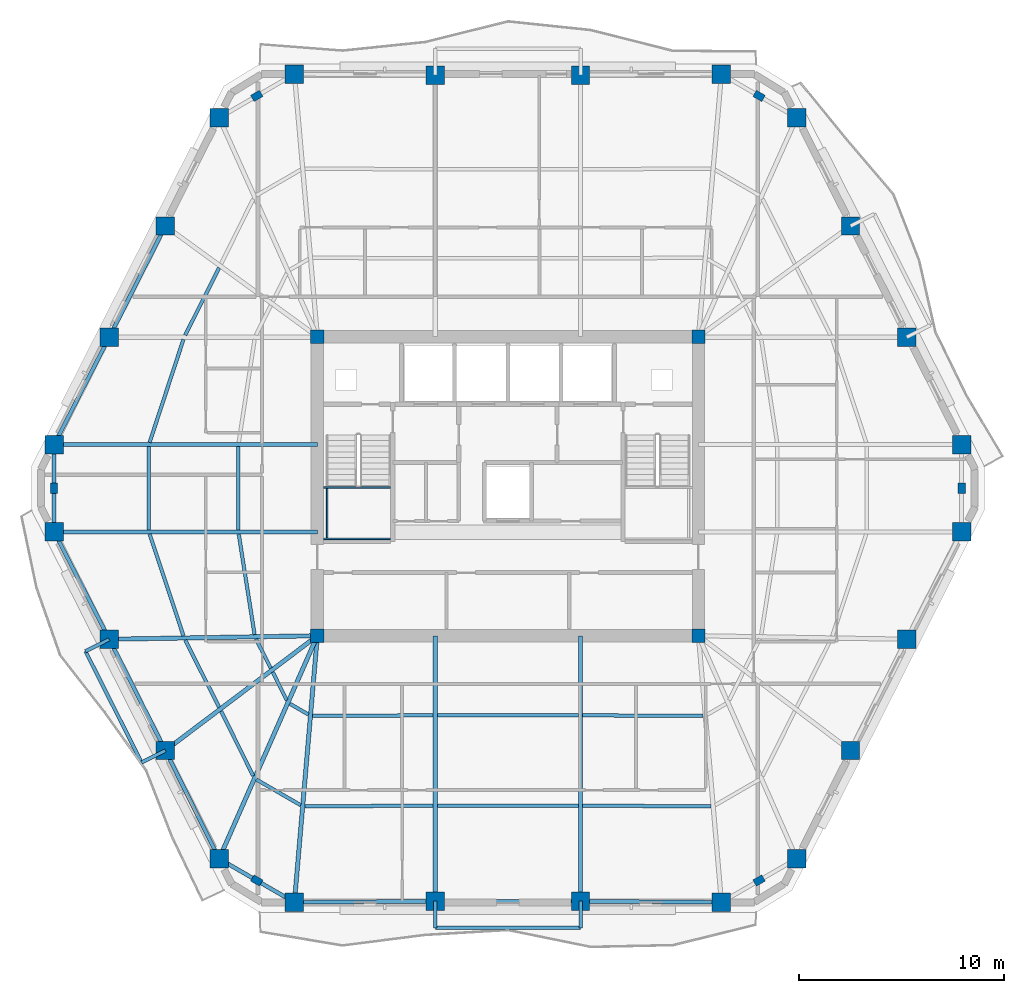
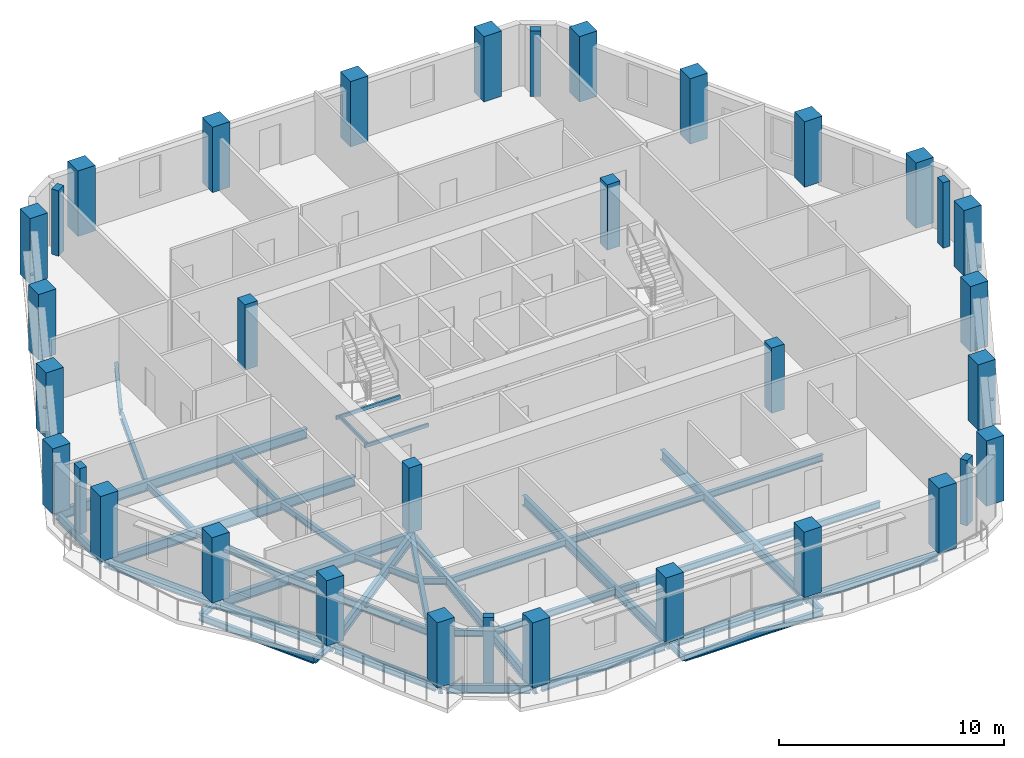
# One storey, part 1 of 11: 45 beams, 34 columns.
"""IFC4 building model written with IfcOpenShell, lengths in metres."""

import ifcopenshell
import ifcopenshell.guid

model = None  # the IFC model being written
_history = None  # IfcOwnerHistory: only IFC2X3 demands one
_inside = {}  # id of a spatial element -> (the spatial element, [elements in it])
_under = {}  # id of a project, library or spatial element -> (it, [spatial elements below it])
_declared = {}  # id of a project -> (the project, [libraries it declares])
_typed = {}  # id of a type object -> (the type object, [elements of that type])
_made_of = {}  # id of a material, layer set ... -> (it, [elements and type objects made of it])


def new_model(schema):
    """Start an empty IFC model of exactly this schema.

    Asked for "IFC4X3", IfcOpenShell would pick the latest addendum, in which some entities
    have other attributes; the version numbers below select the first issue.
    IFC2X3 requires an IfcOwnerHistory on every rooted entity: one is made here for all.
    """
    global model, _history
    if schema == "IFC4X3":
        model = ifcopenshell.file(schema_version=(4, 3, 0, 0))
    else:
        model = ifcopenshell.file(schema=schema)
    _inside.clear()
    _under.clear()
    _declared.clear()
    _typed.clear()
    _made_of.clear()
    _history = None
    if model.schema == "IFC2X3":
        org = make("IfcOrganization", Name="unknown")
        user = make(
            "IfcPersonAndOrganization",
            ThePerson=make("IfcPerson", FamilyName="unknown"),
            TheOrganization=org,
        )
        app = make(
            "IfcApplication",
            ApplicationDeveloper=org,
            Version="unknown",
            ApplicationFullName="unknown",
            ApplicationIdentifier="unknown",
        )
        _history = make(
            "IfcOwnerHistory",
            OwningUser=user,
            OwningApplication=app,
            ChangeAction="ADDED",
            CreationDate=0,
        )
    return model


def make(cls, **values):
    """One entity of the class cls with the attributes given. An attribute that is None is left unset."""
    return model.create_entity(
        cls, **{name: value for name, value in values.items() if value is not None}
    )


def rooted(cls, **values):
    """An entity with a GlobalId (a new one), such as an element, a storey or a relation."""
    return make(cls, GlobalId=ifcopenshell.guid.new(), OwnerHistory=_history, **values)


def si_unit(unit_type, name, prefix=None):
    """IfcSIUnit, for example si_unit("LENGTHUNIT", "METRE", prefix="MILLI")."""
    return make("IfcSIUnit", UnitType=unit_type, Prefix=prefix, Name=name)


def assignment(units):
    """IfcUnitAssignment: the units of a project."""
    return None if units is None else make("IfcUnitAssignment", Units=units)


def point(xyz):
    """IfcCartesianPoint."""
    return None if xyz is None else make("IfcCartesianPoint", Coordinates=xyz)


def direction(xyz):
    """IfcDirection."""
    return None if xyz is None else make("IfcDirection", DirectionRatios=xyz)


def frame(location, z_axis=None, x_axis=None):
    """IfcAxis2Placement3D, a coordinate frame: its origin and axes. An axis left out is left unset."""
    return make(
        "IfcAxis2Placement3D",
        Location=point(location),
        Axis=direction(z_axis),
        RefDirection=direction(x_axis),
    )


def frame_2d(location, x_axis=None):
    """IfcAxis2Placement2D, a coordinate frame in the plane: its origin and x axis."""
    return make(
        "IfcAxis2Placement2D", Location=point(location), RefDirection=direction(x_axis)
    )


def origin():
    """The frame at (0, 0, 0) with its axes left unset."""
    return frame((0.0, 0.0, 0.0))


def origin_2d():
    """The frame at (0, 0) in the plane with its x axis left unset."""
    return frame_2d((0.0, 0.0))


def place(relative_to, where):
    """IfcLocalPlacement: puts the frame where relative to a parent placement (None: the world)."""
    return make(
        "IfcLocalPlacement", PlacementRelTo=relative_to, RelativePlacement=where
    )


def context(
    kind, dimensions, precision=None, world=None, true_north=None, identifier=None
):
    """IfcGeometricRepresentationContext, for example the 3D "Model" context."""
    return make(
        "IfcGeometricRepresentationContext",
        ContextIdentifier=identifier,
        ContextType=kind,
        CoordinateSpaceDimension=dimensions,
        Precision=precision,
        WorldCoordinateSystem=world,
        TrueNorth=true_north,
    )


def subcontext(parent, identifier, kind, view, scale=None):
    """IfcGeometricRepresentationSubContext, for example "Body" below "Model"."""
    return make(
        "IfcGeometricRepresentationSubContext",
        ContextIdentifier=identifier,
        ContextType=kind,
        ParentContext=parent,
        TargetScale=scale,
        TargetView=view,
    )


def project(units=None, contexts=None):
    """IfcProject with its units and contexts."""
    return rooted(
        "IfcProject",
        Name="project",
        RepresentationContexts=contexts,
        UnitsInContext=assignment(units),
    )


def spatial(cls, under=None, at=None, **own):
    """A site, building, storey or space (cls), placed at a placement, below another one or the project."""
    s = rooted(cls, ObjectPlacement=at, **own)
    if under is not None:
        _under.setdefault(under.id(), (under, []))[1].append(s)
    return s


def profile(cls, at=None, kind="AREA", **sizes):
    """A parametric profile (cls). Its sizes go by their IFC names, for example OverallWidth=200.0."""
    return make(cls, ProfileType=kind, Position=at, **sizes)


def rectangle(**sizes):
    """IfcRectangleProfileDef."""
    return profile("IfcRectangleProfileDef", **sizes)


def hollow_rectangle(**sizes):
    """IfcRectangleHollowProfileDef."""
    return profile("IfcRectangleHollowProfileDef", **sizes)


def i_section(**sizes):
    """IfcIShapeProfileDef."""
    return profile("IfcIShapeProfileDef", **sizes)


def extrude(swept, where, along, depth):
    """IfcExtrudedAreaSolid: the profile swept, set in the frame where, extruded along a direction by depth."""
    return make(
        "IfcExtrudedAreaSolid",
        SweptArea=swept,
        Position=where,
        ExtrudedDirection=direction(along),
        Depth=depth,
    )


def shape(context_of_items, identifier, shape_type, items):
    """IfcShapeRepresentation: the items that make up one representation, for example the "Body"."""
    return make(
        "IfcShapeRepresentation",
        ContextOfItems=context_of_items,
        RepresentationIdentifier=identifier,
        RepresentationType=shape_type,
        Items=items,
    )


def material(Name=None, Category=None):
    """IfcMaterial."""
    return make("IfcMaterial", Name=Name, Category=Category)


def material_profile(
    of_material, cross_section, Name=None, Category=None, Priority=None
):
    """IfcMaterialProfile: a cross section and its material."""
    return make(
        "IfcMaterialProfile",
        Name=Name,
        Material=of_material,
        Profile=cross_section,
        Priority=Priority,
        Category=Category,
    )


def profile_set(profiles, Name=None, composite=None):
    """IfcMaterialProfileSet."""
    return make(
        "IfcMaterialProfileSet",
        Name=Name,
        MaterialProfiles=profiles,
        CompositeProfile=composite,
    )


def made_of(thing, what):
    """Note that an element or type object is made of a material, layer set ...; save() writes the relation."""
    if what is not None:
        _made_of.setdefault(what.id(), (what, []))[1].append(thing)
    return thing


def type_object(cls, material=None, **own):
    """A type object (cls), such as IfcWallType, which elements share."""
    return made_of(rooted(cls, **own), material)


def element(
    cls,
    number,
    at=None,
    inside=None,
    cuts=None,
    type_object=None,
    material=None,
    context=None,
    identifier="Body",
    shape_type=None,
    held_by="IfcProductDefinitionShape",
    body=None,
    shapes=None,
    **own,
):
    """One element of the class cls, such as IfcWall. Its Tag is "e" and its number.

    at: its placement. inside: the storey or other place that contains it. cuts: it is an
    opening in that element (IfcRelVoidsElement). A single representation is given by context,
    identifier, shape_type and body (its items); several are given by shapes. held_by: the class
    of the entity that holds the representations. save() writes the other relations.
    """
    e = rooted(cls, Tag="e%d" % number, ObjectPlacement=at, **own)
    if body is not None:
        shapes = [shape(context, identifier, shape_type, body)]
    if shapes is not None:
        e.Representation = make(held_by, Representations=shapes)
    if inside is not None:
        _inside.setdefault(inside.id(), (inside, []))[1].append(e)
    if cuts is not None:
        rooted(
            "IfcRelVoidsElement", RelatingBuildingElement=cuts, RelatedOpeningElement=e
        )
    if type_object is not None:
        _typed.setdefault(type_object.id(), (type_object, []))[1].append(e)
    return made_of(e, material)


def aggregate(whole, parts):
    """IfcRelAggregates: a whole, such as a stair, and the parts it consists of."""
    return rooted("IfcRelAggregates", RelatingObject=whole, RelatedObjects=parts)


def save(model, path):
    """Write the relations noted so far, then the file.

    IfcRelAggregates (storeys below a building ...), IfcRelContainedInSpatialStructure (elements
    in a storey), IfcRelDefinesByType, IfcRelAssociatesMaterial and IfcRelDeclares: one each for
    every whole, place, type object, material and project.
    """
    for whole, parts in _under.values():
        aggregate(whole, parts)
    for where, things in _inside.values():
        rooted(
            "IfcRelContainedInSpatialStructure",
            RelatedElements=things,
            RelatingStructure=where,
        )
    for kind, things in _typed.values():
        rooted("IfcRelDefinesByType", RelatedObjects=things, RelatingType=kind)
    for what, things in _made_of.values():
        rooted("IfcRelAssociatesMaterial", RelatedObjects=things, RelatingMaterial=what)
    for by, libraries in _declared.values():
        rooted("IfcRelDeclares", RelatingContext=by, RelatedDefinitions=libraries)
    model.write(path)


model = new_model("IFC4")

# Units and contexts
model_context = context("Model", 3, precision=1e-05, world=origin(), true_north=direction((0.0, 1.0)))
body_context = subcontext(model_context, "Body", "Model", "MODEL_VIEW")
ifc_project = project(units=[si_unit("LENGTHUNIT", "METRE"), si_unit("AREAUNIT", "SQUARE_METRE"), si_unit("VOLUMEUNIT", "CUBIC_METRE"), si_unit("PLANEANGLEUNIT", "RADIAN"), si_unit("MASSUNIT", "GRAM", prefix="KILO")], contexts=[model_context])

# Site, building, storey
site_placement = place(None, origin())
site = spatial("IfcSite", under=ifc_project, at=site_placement, CompositionType="ELEMENT")
building_placement = place(site_placement, origin())
building = spatial("IfcBuilding", under=site, at=building_placement, Name="Cinnabar Lancet Tower", CompositionType="ELEMENT")
storey_placement = place(building_placement, frame((0.0, 0.0, 196.75)))
storey = spatial("IfcBuildingStorey", under=building, at=storey_placement, Name="L52", CompositionType="ELEMENT", Elevation=196.75)

# Columns
ifc_material_1 = material(Name="Concrete C60/75", Category="concrete")
ifc_material_profile_1 = material_profile(ifc_material_1, rectangle(XDim=0.64990234375, YDim=0.64990234375, at=origin_2d()), Name="RC-COL 650x650")
ifc_profile_set_1 = profile_set([ifc_material_profile_1], Name="Concrete C60/75")
column_type_1 = type_object("IfcColumnType", Name="STR-COL-CORE-650", PredefinedType="COLUMN", material=ifc_profile_set_1)
for number, where, z_axis, x_axis, name in (
    (1, (23.10009765625, 18.60009765625, 0.0), (0.0, 0.0, 1.0), (1.0, 0.0, 0.0), "L52 Core Corner Column SW"),
    (2, (41.699951171875, 18.60009765625, 0.0), (0.0, 0.0, 1.0), (1.0, 0.0, 0.0), "L52 Core Corner Column SE"),
    (3, (41.699951171875, 33.199951171875, 0.0), (0.0, 0.0, 1.0), (1.0, 0.0, 0.0), "L52 Core Corner Column NE"),
    (4, (23.10009765625, 33.199951171875, 0.0), (0.0, 0.0, 1.0), (1.0, 0.0, 0.0), "L52 Core Corner Column NW"),
):
    element("IfcColumn", number, at=place(storey_placement, frame(where, z_axis=z_axis, x_axis=x_axis)), inside=storey, type_object=column_type_1, Name=name, PredefinedType="COLUMN", context=body_context, shape_type="SweptSolid", body=[
        extrude(rectangle(XDim=0.64990234375, YDim=0.64990234375, at=origin_2d()), origin(), (0.0, 0.0, 1.0), 3.550048828125),
    ])
ifc_material_2 = material(Name="Concrete C60/75", Category="concrete")
ifc_material_profile_2 = material_profile(ifc_material_2, rectangle(XDim=0.5, YDim=0.35009765625, at=origin_2d()), Name="RC-PIL 500x350")
ifc_profile_set_2 = profile_set([ifc_material_profile_2], Name="Concrete C60/75")
column_type_2 = type_object("IfcColumnType", Name="STR-COL-PIL-500", PredefinedType="PILASTER", material=ifc_profile_set_2)
for number, where, z_axis, x_axis, name in (
    (5, (20.14208984375, 6.654052734375, 0.0), (0.0, 0.0, 1.0), (0.865230187018, -0.501374833306, 0.0), "L52 Chamfered Corner Pilaster 1"),
    (6, (44.657958984375, 6.654052734375, 0.0), (0.0, 0.0, 1.0), (0.865230187018, 0.501374833306, 0.0), "L52 Chamfered Corner Pilaster 2"),
    (7, (54.547119140625, 25.800048828125, 0.0), (0.0, 0.0, 1.0), (0.0, 1.0, 0.0), "L52 Chamfered Corner Pilaster 3"),
    (8, (44.657958984375, 44.947021484375, 0.0), (0.0, 0.0, 1.0), (-0.865230187018, 0.501374833306, 0.0), "L52 Chamfered Corner Pilaster 4"),
    (9, (20.14208984375, 44.947021484375, 0.0), (0.0, 0.0, 1.0), (-0.865230187018, -0.501374833306, 0.0), "L52 Chamfered Corner Pilaster 5"),
    (10, (10.2529296875, 25.800048828125, 0.0), (0.0, 0.0, 1.0), (0.0, -1.0, 0.0), "L52 Chamfered Corner Pilaster 6"),
):
    element("IfcColumn", number, at=place(storey_placement, frame(where, z_axis=z_axis, x_axis=x_axis)), inside=storey, type_object=column_type_2, Name=name, PredefinedType="PILASTER", context=body_context, shape_type="SweptSolid", body=[
        extrude(rectangle(XDim=0.5, YDim=0.35009765625, at=origin_2d()), origin(), (0.0, 0.0, 1.0), 3.550048828125),
    ])
ifc_material_3 = material(Name="Concrete C60/75", Category="concrete")
ifc_material_profile_3 = material_profile(ifc_material_3, rectangle(XDim=0.89990234375, YDim=0.89990234375, at=origin_2d()), Name="RC-COL 900x900")
ifc_profile_set_3 = profile_set([ifc_material_profile_3], Name="Concrete C60/75")
column_type_3 = type_object("IfcColumnType", Name="STR-COL-TUBE-900", PredefinedType="COLUMN", material=ifc_profile_set_3)
for number, where, z_axis, x_axis, name in (
    (11, (21.97900390625, 5.589111328125, 0.0), (0.0, 0.0, 1.0), (1.0, 0.0, 0.0), "L52 Perimeter Tube Column 1"),
    (12, (28.85693359375, 5.64208984375, 0.0), (0.0, 0.0, 1.0), (1.0, 0.0, 0.0), "L52 Perimeter Tube Column 2"),
    (13, (35.943115234375, 5.64208984375, 0.0), (0.0, 0.0, 1.0), (1.0, 0.0, 0.0), "L52 Perimeter Tube Column 3"),
    (14, (42.821044921875, 5.589111328125, 0.0), (0.0, 0.0, 1.0), (1.0, 0.0, 0.0), "L52 Perimeter Tube Column 4"),
    (15, (46.4951171875, 7.718017578125, 0.0), (0.0, 0.0, 1.0), (1.0, 0.0, 0.0), "L52 Perimeter Tube Column 5"),
    (16, (49.118896484375, 13.0009765625, 0.0), (0.0, 0.0, 1.0), (1.0, 0.0, 0.0), "L52 Perimeter Tube Column 6"),
    (17, (51.85791015625, 18.428955078125, 0.0), (0.0, 0.0, 1.0), (1.0, 0.0, 0.0), "L52 Perimeter Tube Column 7"),
    (18, (54.547119140625, 23.66796875, 0.0), (0.0, 0.0, 1.0), (1.0, 0.0, 0.0), "L52 Perimeter Tube Column 8"),
    (19, (54.547119140625, 27.931884765625, 0.0), (0.0, 0.0, 1.0), (1.0, 0.0, 0.0), "L52 Perimeter Tube Column 9"),
    (20, (51.85791015625, 33.1708984375, 0.0), (0.0, 0.0, 1.0), (1.0, 0.0, 0.0), "L52 Perimeter Tube Column 10"),
    (21, (49.118896484375, 38.59912109375, 0.0), (0.0, 0.0, 1.0), (1.0, 0.0, 0.0), "L52 Perimeter Tube Column 11"),
    (22, (46.4951171875, 43.882080078125, 0.0), (0.0, 0.0, 1.0), (1.0, 0.0, 0.0), "L52 Perimeter Tube Column 12"),
    (23, (42.821044921875, 46.010986328125, 0.0), (0.0, 0.0, 1.0), (1.0, 0.0, 0.0), "L52 Perimeter Tube Column 13"),
    (24, (35.943115234375, 45.9580078125, 0.0), (0.0, 0.0, 1.0), (1.0, 0.0, 0.0), "L52 Perimeter Tube Column 14"),
    (25, (28.85693359375, 45.9580078125, 0.0), (0.0, 0.0, 1.0), (1.0, 0.0, 0.0), "L52 Perimeter Tube Column 15"),
    (26, (21.97900390625, 46.010986328125, 0.0), (0.0, 0.0, 1.0), (1.0, 0.0, 0.0), "L52 Perimeter Tube Column 16"),
    (27, (18.304931640625, 43.882080078125, 0.0), (0.0, 0.0, 1.0), (1.0, 0.0, 0.0), "L52 Perimeter Tube Column 17"),
    (28, (15.680908203125, 38.59912109375, 0.0), (0.0, 0.0, 1.0), (1.0, 0.0, 0.0), "L52 Perimeter Tube Column 18"),
    (29, (12.94189453125, 33.1708984375, 0.0), (0.0, 0.0, 1.0), (1.0, 0.0, 0.0), "L52 Perimeter Tube Column 19"),
    (30, (10.2529296875, 27.931884765625, 0.0), (0.0, 0.0, 1.0), (1.0, 0.0, 0.0), "L52 Perimeter Tube Column 20"),
    (31, (10.2529296875, 23.66796875, 0.0), (0.0, 0.0, 1.0), (1.0, 0.0, 0.0), "L52 Perimeter Tube Column 21"),
    (32, (12.94189453125, 18.428955078125, 0.0), (0.0, 0.0, 1.0), (1.0, 0.0, 0.0), "L52 Perimeter Tube Column 22"),
    (33, (15.680908203125, 13.0009765625, 0.0), (0.0, 0.0, 1.0), (1.0, 0.0, 0.0), "L52 Perimeter Tube Column 23"),
    (34, (18.304931640625, 7.718017578125, 0.0), (0.0, 0.0, 1.0), (1.0, 0.0, 0.0), "L52 Perimeter Tube Column 24"),
):
    element("IfcColumn", number, at=place(storey_placement, frame(where, z_axis=z_axis, x_axis=x_axis)), inside=storey, type_object=column_type_3, Name=name, PredefinedType="COLUMN", context=body_context, shape_type="SweptSolid", body=[
        extrude(rectangle(XDim=0.89990234375, YDim=0.89990234375, at=origin_2d()), origin(), (0.0, 0.0, 1.0), 3.550048828125),
    ])

# Beams
ifc_material_4 = material(Name="Structural steel S355", Category="steel")
ifc_material_profile_4 = material_profile(ifc_material_4, i_section(OverallWidth=0.17138671875, OverallDepth=0.35498046875, WebThickness=0.00732421875, FlangeThickness=0.011474609375, FilletRadius=0.01025390625, at=origin_2d()), Name="UKB 356x171x51")
ifc_profile_set_4 = profile_set([ifc_material_profile_4], Name="Structural steel S355")
beam_type_1 = type_object("IfcBeamType", Name="STR-BM-JST-356", PredefinedType="JOIST", material=ifc_profile_set_4)
beam_1_placement = place(storey_placement, frame((14.9130859375, 23.56298828125, -0.376953125), z_axis=(0.315346227037, -0.948976689436, 0.0), x_axis=(0.948976689436, 0.315346227037, 0.0)))
element("IfcBeam", 35, at=beam_1_placement, inside=storey, type_object=beam_type_1, Name="L52 Secondary Floor Joist 1", PredefinedType="JOIST", context=body_context, shape_type="SweptSolid", body=[
    extrude(i_section(OverallWidth=0.17138671875, OverallDepth=0.35498046875, WebThickness=0.00732421875, FlangeThickness=0.011474609375, FilletRadius=0.01025390625, at=origin_2d()), origin(), (0.0, 0.0, 1.0), 5.235107421875),
])
beam_2_placement = place(storey_placement, frame((19.261962890625, 23.56298828125, -0.376953125), z_axis=(0.155702775827, -0.987803950994, 0.0), x_axis=(0.987803950994, 0.155702775827, 0.0)))
element("IfcBeam", 36, at=beam_2_placement, inside=storey, type_object=beam_type_1, Name="L52 Secondary Floor Joist 2", PredefinedType="JOIST", context=body_context, shape_type="SweptSolid", body=[
    extrude(i_section(OverallWidth=0.17138671875, OverallDepth=0.35498046875, WebThickness=0.00732421875, FlangeThickness=0.011474609375, FilletRadius=0.01025390625, at=origin_2d()), origin(), (0.0, 0.0, 1.0), 4.970458984375),
])
beam_3_placement = place(storey_placement, frame((16.65087890625, 18.386962890625, -0.376953125), z_axis=(0.45061776862, -0.892716991327, 0.0), x_axis=(0.892716991327, 0.45061776862, 0.0)))
element("IfcBeam", 37, at=beam_3_placement, inside=storey, type_object=beam_type_1, Name="L52 Secondary Floor Joist 3", PredefinedType="JOIST", context=body_context, shape_type="SweptSolid", body=[
    extrude(i_section(OverallWidth=0.17138671875, OverallDepth=0.35498046875, WebThickness=0.00732421875, FlangeThickness=0.011474609375, FilletRadius=0.01025390625, at=origin_2d()), origin(), (0.0, 0.0, 1.0), 3.66845703125),
])
beam_4_placement = place(storey_placement, frame((20.10498046875, 18.445068359375, -0.376953125), z_axis=(0.450137936259, -0.892959035085, 0.0), x_axis=(0.892959035085, 0.450137936259, 0.0)))
element("IfcBeam", 38, at=beam_4_placement, inside=storey, type_object=beam_type_1, Name="L52 Secondary Floor Joist 4", PredefinedType="JOIST", context=body_context, shape_type="SweptSolid", body=[
    extrude(i_section(OverallWidth=0.17138671875, OverallDepth=0.35498046875, WebThickness=0.00732421875, FlangeThickness=0.011474609375, FilletRadius=0.01025390625, at=origin_2d()), origin(), (0.0, 0.0, 1.0), 1.6015625),
])
beam_5_placement = place(storey_placement, frame((18.39892578125, 14.9208984375, -0.376953125), z_axis=(0.445083338565, -0.895489152214, 0.0), x_axis=(0.895489152214, 0.445083338565, 0.0)))
element("IfcBeam", 39, at=beam_5_placement, inside=storey, type_object=beam_type_1, Name="L52 Secondary Floor Joist 5", PredefinedType="JOIST", context=body_context, shape_type="SweptSolid", body=[
    extrude(i_section(OverallWidth=0.17138671875, OverallDepth=0.35498046875, WebThickness=0.00732421875, FlangeThickness=0.011474609375, FilletRadius=0.01025390625, at=origin_2d()), origin(), (0.0, 0.0, 1.0), 3.531982421875),
])
beam_6_placement = place(storey_placement, frame((20.922119140625, 16.824951171875, -0.376953125), z_axis=(0.444589856968, -0.895734256954, 0.0), x_axis=(0.895734256954, 0.444589856968, 0.0)))
element("IfcBeam", 40, at=beam_6_placement, inside=storey, type_object=beam_type_1, Name="L52 Secondary Floor Joist 6", PredefinedType="JOIST", context=body_context, shape_type="SweptSolid", body=[
    extrude(i_section(OverallWidth=0.17138671875, OverallDepth=0.35498046875, WebThickness=0.00732421875, FlangeThickness=0.011474609375, FilletRadius=0.01025390625, at=origin_2d()), origin(), (0.0, 0.0, 1.0), 1.527099609375),
])
beam_7_placement = place(storey_placement, frame((20.1220703125, 11.5830078125, -0.376953125), z_axis=(0.865267839663, -0.501309849937, 0.0), x_axis=(0.501309849937, 0.865267839663, 0.0)))
element("IfcBeam", 41, at=beam_7_placement, inside=storey, type_object=beam_type_1, Name="L52 Secondary Floor Joist 7", PredefinedType="JOIST", context=body_context, shape_type="SweptSolid", body=[
    extrude(i_section(OverallWidth=0.17138671875, OverallDepth=0.35498046875, WebThickness=0.00732421875, FlangeThickness=0.011474609375, FilletRadius=0.01025390625, at=origin_2d()), origin(), (0.0, 0.0, 1.0), 2.497314453125),
])
beam_8_placement = place(storey_placement, frame((21.7529296875, 15.282958984375, -0.376953125), z_axis=(0.8651881055, -0.501447446998, 0.0), x_axis=(0.501447446998, 0.8651881055, 0.0)))
element("IfcBeam", 42, at=beam_8_placement, inside=storey, type_object=beam_type_1, Name="L52 Secondary Floor Joist 8", PredefinedType="JOIST", context=body_context, shape_type="SweptSolid", body=[
    extrude(i_section(OverallWidth=0.17138671875, OverallDepth=0.35498046875, WebThickness=0.00732421875, FlangeThickness=0.011474609375, FilletRadius=0.01025390625, at=origin_2d()), origin(), (0.0, 0.0, 1.0), 1.05322265625),
])
beam_9_placement = place(storey_placement, frame((22.488037109375, 10.27392578125, -0.376953125), z_axis=(0.999986965561, 0.005105752523, 0.0), x_axis=(-0.005105752523, 0.999986965561, 0.0)))
element("IfcBeam", 43, at=beam_9_placement, inside=storey, type_object=beam_type_1, Name="L52 Secondary Floor Joist 9", PredefinedType="JOIST", context=body_context, shape_type="SweptSolid", body=[
    extrude(i_section(OverallWidth=0.17138671875, OverallDepth=0.35498046875, WebThickness=0.00732421875, FlangeThickness=0.011474609375, FilletRadius=0.01025390625, at=origin_2d()), origin(), (0.0, 0.0, 1.0), 6.263916015625),
])
beam_10_placement = place(storey_placement, frame((22.868896484375, 14.697021484375, -0.376953125), z_axis=(0.999996795933, 0.002531427338, 0.0), x_axis=(-0.002531427338, 0.999996795933, 0.0)))
element("IfcBeam", 44, at=beam_10_placement, inside=storey, type_object=beam_type_1, Name="L52 Secondary Floor Joist 10", PredefinedType="JOIST", context=body_context, shape_type="SweptSolid", body=[
    extrude(i_section(OverallWidth=0.17138671875, OverallDepth=0.35498046875, WebThickness=0.00732421875, FlangeThickness=0.011474609375, FilletRadius=0.01025390625, at=origin_2d()), origin(), (0.0, 0.0, 1.0), 5.883056640625),
])
for number, where, z_axis, x_axis, name in (
    (45, (28.9619140625, 10.306884765625, -0.376953125), (1.0, 0.0, 0.0), (0.0, 1.0, 0.0), "L52 Secondary Floor Joist 11"),
    (46, (28.9619140625, 14.712890625, -0.376953125), (1.0, 0.0, 0.0), (0.0, 1.0, 0.0), "L52 Secondary Floor Joist 12"),
):
    element("IfcBeam", number, at=place(storey_placement, frame(where, z_axis=z_axis, x_axis=x_axis)), inside=storey, type_object=beam_type_1, Name=name, PredefinedType="JOIST", context=body_context, shape_type="SweptSolid", body=[
        extrude(i_section(OverallWidth=0.17138671875, OverallDepth=0.35498046875, WebThickness=0.00732421875, FlangeThickness=0.011474609375, FilletRadius=0.01025390625, at=origin_2d()), origin(), (0.0, 0.0, 1.0), 6.8759765625),
    ])
beam_11_placement = place(storey_placement, frame((36.048095703125, 10.305908203125, -0.376953125), z_axis=(0.999986965561, -0.005105752523, 0.0), x_axis=(0.005105752523, 0.999986965561, 0.0)))
element("IfcBeam", 47, at=beam_11_placement, inside=storey, type_object=beam_type_1, Name="L52 Secondary Floor Joist 13", PredefinedType="JOIST", context=body_context, shape_type="SweptSolid", body=[
    extrude(i_section(OverallWidth=0.17138671875, OverallDepth=0.35498046875, WebThickness=0.00732421875, FlangeThickness=0.011474609375, FilletRadius=0.01025390625, at=origin_2d()), origin(), (0.0, 0.0, 1.0), 6.263916015625),
])
beam_12_placement = place(storey_placement, frame((36.048095703125, 14.7119140625, -0.376953125), z_axis=(0.999996795667, -0.002531532393, 0.0), x_axis=(0.002531532393, 0.999996795667, 0.0)))
element("IfcBeam", 48, at=beam_12_placement, inside=storey, type_object=beam_type_1, Name="L52 Secondary Floor Joist 14", PredefinedType="JOIST", context=body_context, shape_type="SweptSolid", body=[
    extrude(i_section(OverallWidth=0.17138671875, OverallDepth=0.35498046875, WebThickness=0.00732421875, FlangeThickness=0.011474609375, FilletRadius=0.01025390625, at=origin_2d()), origin(), (0.0, 0.0, 1.0), 5.8828125),
])
beam_13_placement = place(storey_placement, frame((18.303955078125, 36.56103515625, -0.376953125), z_axis=(-0.449230875134, -0.893415704376, 0.0), x_axis=(0.893415704376, -0.449230875134, 0.0)))
element("IfcBeam", 49, at=beam_13_placement, inside=storey, type_object=beam_type_1, Name="L52 Secondary Floor Joist 43", PredefinedType="JOIST", context=body_context, shape_type="SweptSolid", body=[
    extrude(i_section(OverallWidth=0.17138671875, OverallDepth=0.35498046875, WebThickness=0.00732421875, FlangeThickness=0.011474609375, FilletRadius=0.01025390625, at=origin_2d()), origin(), (0.0, 0.0, 1.0), 3.677001953125),
])
beam_14_placement = place(storey_placement, frame((16.56494140625, 33.06591796875, -0.376953125), z_axis=(-0.312240109925, -0.95000321776, 0.0), x_axis=(0.95000321776, -0.312240109925, 0.0)))
element("IfcBeam", 50, at=beam_14_placement, inside=storey, type_object=beam_type_1, Name="L52 Secondary Floor Joist 45", PredefinedType="JOIST", context=body_context, shape_type="SweptSolid", body=[
    extrude(i_section(OverallWidth=0.17138671875, OverallDepth=0.35498046875, WebThickness=0.00732421875, FlangeThickness=0.011474609375, FilletRadius=0.01025390625, at=origin_2d()), origin(), (0.0, 0.0, 1.0), 5.29345703125),
])
for number, where, z_axis, x_axis, name in (
    (51, (14.8779296875, 27.826904296875, -0.376953125), (0.0, -1.0, 0.0), (1.0, 0.0, 0.0), "L52 Secondary Floor Joist 47"),
    (52, (19.24609375, 27.826904296875, -0.376953125), (0.0, -1.0, 0.0), (1.0, 0.0, 0.0), "L52 Secondary Floor Joist 48"),
):
    element("IfcBeam", number, at=place(storey_placement, frame(where, z_axis=z_axis, x_axis=x_axis)), inside=storey, type_object=beam_type_1, Name=name, PredefinedType="JOIST", context=body_context, shape_type="SweptSolid", body=[
        extrude(i_section(OverallWidth=0.17138671875, OverallDepth=0.35498046875, WebThickness=0.00732421875, FlangeThickness=0.011474609375, FilletRadius=0.01025390625, at=origin_2d()), origin(), (0.0, 0.0, 1.0), 4.053955078125),
    ])
ifc_material_5 = material(Name="Structural steel S355", Category="steel")
ifc_material_profile_5 = material_profile(ifc_material_5, hollow_rectangle(XDim=0.10009765625, YDim=0.199951171875, WallThickness=0.008056640625, InnerFilletRadius=0.00390625, OuterFilletRadius=0.011962890625, at=origin_2d()), Name="RHS 200x100x8")
ifc_profile_set_5 = profile_set([ifc_material_profile_5], Name="Structural steel S355")
beam_type_2 = type_object("IfcBeamType", Name="STR-BM-LND-203", PredefinedType="BEAM", material=ifc_profile_set_5)
for number, where, z_axis, x_axis, name in (
    (53, (23.39990234375, 23.330078125, 1.47509765625), (1.0, 0.0, 0.0), (0.0, 1.0, 0.0), "L52 ST-1-L52 Landing Support Beam S"),
    (54, (23.39990234375, 25.844970703125, 1.47509765625), (1.0, 0.0, 0.0), (0.0, 1.0, 0.0), "L52 ST-1-L52 Landing Support Beam N"),
):
    element("IfcBeam", number, at=place(storey_placement, frame(where, z_axis=z_axis, x_axis=x_axis)), inside=storey, type_object=beam_type_2, Name=name, PredefinedType="BEAM", context=body_context, shape_type="SweptSolid", body=[
        extrude(hollow_rectangle(XDim=0.10009765625, YDim=0.199951171875, WallThickness=0.008056640625, InnerFilletRadius=0.00390625, OuterFilletRadius=0.011962890625, at=origin_2d()), origin(), (0.0, 0.0, 1.0), 3.280029296875),
    ])
beam_15_placement = place(storey_placement, frame((23.580078125, 23.3798828125, 1.47509765625), z_axis=(0.0, 1.0, 0.0), x_axis=(-1.0, 0.0, 0.0)))
element("IfcBeam", 55, at=beam_15_placement, inside=storey, type_object=beam_type_2, Name="L52 ST-1-L52 Landing Side Trimmer Beam", PredefinedType="BEAM", context=body_context, shape_type="SweptSolid", body=[
    extrude(hollow_rectangle(XDim=0.10009765625, YDim=0.199951171875, WallThickness=0.008056640625, InnerFilletRadius=0.00390625, OuterFilletRadius=0.011962890625, at=origin_2d()), origin(), (0.0, 0.0, 1.0), 2.4150390625),
])
ifc_material_6 = material(Name="Structural steel S355", Category="steel")
ifc_material_profile_6 = material_profile(ifc_material_6, i_section(OverallWidth=0.1904296875, OverallDepth=0.45703125, WebThickness=0.009033203125, FlangeThickness=0.014404296875, FilletRadius=0.01025390625, at=origin_2d()), Name="UKB 457x191x74")
ifc_profile_set_6 = profile_set([ifc_material_profile_6], Name="Structural steel S355")
beam_type_3 = type_object("IfcBeamType", Name="STR-BM-SPN-457", PredefinedType="SPANDREL", material=ifc_profile_set_6)
beam_16_placement = place(storey_placement, frame((22.22900390625, 5.591064453125, -0.427978515625), z_axis=(0.999970695686, 0.007655571089, 0.0), x_axis=(-0.007655571089, 0.999970695686, 0.0)))
element("IfcBeam", 56, at=beam_16_placement, inside=storey, type_object=beam_type_3, Name="L52 Perimeter Spandrel 1", PredefinedType="SPANDREL", context=body_context, shape_type="SweptSolid", body=[
    extrude(i_section(OverallWidth=0.1904296875, OverallDepth=0.45703125, WebThickness=0.009033203125, FlangeThickness=0.014404296875, FilletRadius=0.01025390625, at=origin_2d()), origin(), (0.0, 0.0, 1.0), 6.378173828125),
])
beam_17_placement = place(storey_placement, frame((29.10693359375, 5.64208984375, -0.427978515625), z_axis=(1.0, 0.0, 0.0), x_axis=(0.0, 1.0, 0.0)))
element("IfcBeam", 57, at=beam_17_placement, inside=storey, type_object=beam_type_3, Name="L52 Perimeter Spandrel 2", PredefinedType="SPANDREL", context=body_context, shape_type="SweptSolid", body=[
    extrude(i_section(OverallWidth=0.1904296875, OverallDepth=0.45703125, WebThickness=0.009033203125, FlangeThickness=0.014404296875, FilletRadius=0.01025390625, at=origin_2d()), origin(), (0.0, 0.0, 1.0), 6.586181640625),
])
beam_18_placement = place(storey_placement, frame((36.193115234375, 5.639892578125, -0.427978515625), z_axis=(0.999970695686, -0.007655571089, 0.0), x_axis=(0.007655571089, 0.999970695686, 0.0)))
element("IfcBeam", 58, at=beam_18_placement, inside=storey, type_object=beam_type_3, Name="L52 Perimeter Spandrel 3", PredefinedType="SPANDREL", context=body_context, shape_type="SweptSolid", body=[
    extrude(i_section(OverallWidth=0.1904296875, OverallDepth=0.45703125, WebThickness=0.009033203125, FlangeThickness=0.014404296875, FilletRadius=0.01025390625, at=origin_2d()), origin(), (0.0, 0.0, 1.0), 6.378173828125),
])
beam_19_placement = place(storey_placement, frame((15.568115234375, 38.3759765625, -0.427978515625), z_axis=(-0.450395996562, -0.892828900899, 0.0), x_axis=(0.892828900899, -0.450395996562, 0.0)))
element("IfcBeam", 59, at=beam_19_placement, inside=storey, type_object=beam_type_3, Name="L52 Perimeter Spandrel 18", PredefinedType="SPANDREL", context=body_context, shape_type="SweptSolid", body=[
    extrude(i_section(OverallWidth=0.1904296875, OverallDepth=0.45703125, WebThickness=0.009033203125, FlangeThickness=0.014404296875, FilletRadius=0.01025390625, at=origin_2d()), origin(), (0.0, 0.0, 1.0), 5.579833984375),
])
beam_20_placement = place(storey_placement, frame((12.827880859375, 32.948974609375, -0.427978515625), z_axis=(-0.456610910924, -0.889666497079, 0.0), x_axis=(0.889666497079, -0.456610910924, 0.0)))
element("IfcBeam", 60, at=beam_20_placement, inside=storey, type_object=beam_type_3, Name="L52 Perimeter Spandrel 19", PredefinedType="SPANDREL", context=body_context, shape_type="SweptSolid", body=[
    extrude(i_section(OverallWidth=0.1904296875, OverallDepth=0.45703125, WebThickness=0.009033203125, FlangeThickness=0.014404296875, FilletRadius=0.01025390625, at=origin_2d()), origin(), (0.0, 0.0, 1.0), 5.3896484375),
])
beam_21_placement = place(storey_placement, frame((10.2529296875, 27.681884765625, -0.427978515625), z_axis=(0.0, -1.0, 0.0), x_axis=(1.0, 0.0, 0.0)))
element("IfcBeam", 61, at=beam_21_placement, inside=storey, type_object=beam_type_3, Name="L52 Perimeter Spandrel 20", PredefinedType="SPANDREL", context=body_context, shape_type="SweptSolid", body=[
    extrude(i_section(OverallWidth=0.1904296875, OverallDepth=0.45703125, WebThickness=0.009033203125, FlangeThickness=0.014404296875, FilletRadius=0.01025390625, at=origin_2d()), origin(), (0.0, 0.0, 1.0), 3.763916015625),
])
beam_22_placement = place(storey_placement, frame((10.366943359375, 23.446044921875, -0.427978515625), z_axis=(0.456592509812, -0.889675940994, 0.0), x_axis=(0.889675940994, 0.456592509812, 0.0)))
element("IfcBeam", 62, at=beam_22_placement, inside=storey, type_object=beam_type_3, Name="L52 Perimeter Spandrel 21", PredefinedType="SPANDREL", context=body_context, shape_type="SweptSolid", body=[
    extrude(i_section(OverallWidth=0.1904296875, OverallDepth=0.45703125, WebThickness=0.009033203125, FlangeThickness=0.014404296875, FilletRadius=0.01025390625, at=origin_2d()), origin(), (0.0, 0.0, 1.0), 5.389892578125),
])
beam_23_placement = place(storey_placement, frame((13.054931640625, 18.2060546875, -0.427978515625), z_axis=(0.450395996562, -0.892828900899, 0.0), x_axis=(0.892828900899, 0.450395996562, 0.0)))
element("IfcBeam", 63, at=beam_23_placement, inside=storey, type_object=beam_type_3, Name="L52 Perimeter Spandrel 22", PredefinedType="SPANDREL", context=body_context, shape_type="SweptSolid", body=[
    extrude(i_section(OverallWidth=0.1904296875, OverallDepth=0.45703125, WebThickness=0.009033203125, FlangeThickness=0.014404296875, FilletRadius=0.01025390625, at=origin_2d()), origin(), (0.0, 0.0, 1.0), 5.579833984375),
])
beam_24_placement = place(storey_placement, frame((15.7919921875, 12.777099609375, -0.427978515625), z_axis=(0.444914968367, -0.895572817208, 0.0), x_axis=(0.895572817208, 0.444914968367, 0.0)))
element("IfcBeam", 64, at=beam_24_placement, inside=storey, type_object=beam_type_3, Name="L52 Perimeter Spandrel 23", PredefinedType="SPANDREL", context=body_context, shape_type="SweptSolid", body=[
    extrude(i_section(OverallWidth=0.1904296875, OverallDepth=0.45703125, WebThickness=0.009033203125, FlangeThickness=0.014404296875, FilletRadius=0.01025390625, at=origin_2d()), origin(), (0.0, 0.0, 1.0), 5.39892578125),
])
beam_25_placement = place(storey_placement, frame((18.52099609375, 7.593017578125, -0.427978515625), z_axis=(0.865195717586, -0.501434313016, 0.0), x_axis=(0.501434313016, 0.865195717586, 0.0)))
element("IfcBeam", 65, at=beam_25_placement, inside=storey, type_object=beam_type_3, Name="L52 Perimeter Spandrel 24", PredefinedType="SPANDREL", context=body_context, shape_type="SweptSolid", body=[
    extrude(i_section(OverallWidth=0.1904296875, OverallDepth=0.45703125, WebThickness=0.009033203125, FlangeThickness=0.014404296875, FilletRadius=0.01025390625, at=origin_2d()), origin(), (0.0, 0.0, 1.0), 3.7470703125),
])
ifc_material_7 = material(Name="Structural steel S355", Category="steel")
ifc_material_profile_7 = material_profile(ifc_material_7, i_section(OverallWidth=0.209228515625, OverallDepth=0.533203125, WebThickness=0.010009765625, FlangeThickness=0.015625, FilletRadius=0.0126953125, at=origin_2d()), Name="UKB 533x210x92")
ifc_profile_set_7 = profile_set([ifc_material_profile_7], Name="Structural steel S355")
beam_type_4 = type_object("IfcBeamType", Name="STR-BM-UKB533-92", PredefinedType="BEAM", material=ifc_profile_set_7)
beam_26_placement = place(storey_placement, frame((15.680908203125, 13.0009765625, -0.467041015625), z_axis=(0.798202971293, 0.602388592703, 0.0), x_axis=(-0.602388592703, 0.798202971293, 0.0)))
element("IfcBeam", 66, at=beam_26_placement, inside=storey, type_object=beam_type_4, Name="L52 Corner Collector Girder 1", PredefinedType="BEAM", context=body_context, shape_type="SweptSolid", body=[
    extrude(i_section(OverallWidth=0.209228515625, OverallDepth=0.533203125, WebThickness=0.010009765625, FlangeThickness=0.015625, FilletRadius=0.0126953125, at=origin_2d()), origin(), (0.0, 0.0, 1.0), 9.294921875),
])
beam_27_placement = place(storey_placement, frame((21.97900390625, 5.589111328125, -0.467041015625), z_axis=(0.085847068729, 0.996308326167, 0.0), x_axis=(-0.996308326167, 0.085847068729, 0.0)))
element("IfcBeam", 67, at=beam_27_placement, inside=storey, type_object=beam_type_4, Name="L52 Primary Floor Girder 1", PredefinedType="BEAM", context=body_context, shape_type="SweptSolid", body=[
    extrude(i_section(OverallWidth=0.209228515625, OverallDepth=0.533203125, WebThickness=0.010009765625, FlangeThickness=0.015625, FilletRadius=0.0126953125, at=origin_2d()), origin(), (0.0, 0.0, 1.0), 13.05908203125),
])
for number, where, z_axis, x_axis, name in (
    (68, (28.85693359375, 5.64208984375, -0.467041015625), (0.0, 1.0, 0.0), (-1.0, 0.0, 0.0), "L52 Primary Floor Girder 2"),
    (69, (35.943115234375, 5.64208984375, -0.467041015625), (0.0, 1.0, 0.0), (-1.0, 0.0, 0.0), "L52 Primary Floor Girder 3"),
):
    element("IfcBeam", number, at=place(storey_placement, frame(where, z_axis=z_axis, x_axis=x_axis)), inside=storey, type_object=beam_type_4, Name=name, PredefinedType="BEAM", context=body_context, shape_type="SweptSolid", body=[
        extrude(i_section(OverallWidth=0.209228515625, OverallDepth=0.533203125, WebThickness=0.010009765625, FlangeThickness=0.015625, FilletRadius=0.0126953125, at=origin_2d()), origin(), (0.0, 0.0, 1.0), 12.9580078125),
    ])
for number, where, z_axis, x_axis, name in (
    (70, (10.2529296875, 27.931884765625, -0.467041015625), (1.0, 0.0, 0.0), (0.0, 1.0, 0.0), "L52 Primary Floor Girder 20"),
    (71, (10.2529296875, 23.66796875, -0.467041015625), (1.0, 0.0, 0.0), (0.0, 1.0, 0.0), "L52 Primary Floor Girder 21"),
):
    element("IfcBeam", number, at=place(storey_placement, frame(where, z_axis=z_axis, x_axis=x_axis)), inside=storey, type_object=beam_type_4, Name=name, PredefinedType="BEAM", context=body_context, shape_type="SweptSolid", body=[
        extrude(i_section(OverallWidth=0.209228515625, OverallDepth=0.533203125, WebThickness=0.010009765625, FlangeThickness=0.015625, FilletRadius=0.0126953125, at=origin_2d()), origin(), (0.0, 0.0, 1.0), 12.84716796875),
    ])
beam_28_placement = place(storey_placement, frame((12.94189453125, 18.428955078125, -0.467041015625), z_axis=(0.999858107345, 0.016845331024, 0.0), x_axis=(-0.016845331024, 0.999858107345, 0.0)))
element("IfcBeam", 72, at=beam_28_placement, inside=storey, type_object=beam_type_4, Name="L52 Primary Floor Girder 22", PredefinedType="BEAM", context=body_context, shape_type="SweptSolid", body=[
    extrude(i_section(OverallWidth=0.209228515625, OverallDepth=0.533203125, WebThickness=0.010009765625, FlangeThickness=0.015625, FilletRadius=0.0126953125, at=origin_2d()), origin(), (0.0, 0.0, 1.0), 10.15966796875),
])
beam_29_placement = place(storey_placement, frame((18.304931640625, 7.718017578125, -0.467041015625), z_axis=(0.403235299754, 0.915096329919, 0.0), x_axis=(-0.915096329919, 0.403235299754, 0.0)))
element("IfcBeam", 73, at=beam_29_placement, inside=storey, type_object=beam_type_4, Name="L52 Primary Floor Girder 24", PredefinedType="BEAM", context=body_context, shape_type="SweptSolid", body=[
    extrude(i_section(OverallWidth=0.209228515625, OverallDepth=0.533203125, WebThickness=0.010009765625, FlangeThickness=0.015625, FilletRadius=0.0126953125, at=origin_2d()), origin(), (0.0, 0.0, 1.0), 11.891845703125),
])
ifc_material_8 = material(Name="Structural steel S355", Category="steel")
ifc_material_profile_8 = material_profile(ifc_material_8, i_section(OverallWidth=0.17138671875, OverallDepth=0.35498046875, WebThickness=0.00732421875, FlangeThickness=0.011474609375, FilletRadius=0.01025390625, at=origin_2d()), Name="UKB 356x171x51")
ifc_profile_set_8 = profile_set([ifc_material_profile_8], Name="Structural steel S355")
beam_type_5 = type_object("IfcBeamType", Name="STR-BM-WAV-OUT", PredefinedType="BEAM", material=ifc_profile_set_8)
for number, where, z_axis, x_axis, name in (
    (74, (28.85693359375, 5.64208984375, -0.39794921875), (0.0, -1.0, 0.0), (1.0, 0.0, 0.0), "L52 Face 1 Balcony Outlooker A"),
    (75, (35.943115234375, 5.64208984375, -0.39794921875), (0.0, -1.0, 0.0), (1.0, 0.0, 0.0), "L52 Face 1 Balcony Outlooker B"),
    (76, (12.94189453125, 18.428955078125, -0.39794921875), (-0.89227592947, -0.451490493464, 0.0), (0.451490493464, -0.89227592947, 0.0), "L52 Face 6 Balcony Outlooker A"),
    (77, (15.680908203125, 13.0009765625, -0.39794921875), (-0.89227592947, -0.451490493464, 0.0), (0.451490493464, -0.89227592947, 0.0), "L52 Face 6 Balcony Outlooker B"),
):
    element("IfcBeam", number, at=place(storey_placement, frame(where, z_axis=z_axis, x_axis=x_axis)), inside=storey, type_object=beam_type_5, Name=name, PredefinedType="BEAM", context=body_context, shape_type="SweptSolid", body=[
        extrude(i_section(OverallWidth=0.17138671875, OverallDepth=0.35498046875, WebThickness=0.00732421875, FlangeThickness=0.011474609375, FilletRadius=0.01025390625, at=origin_2d()), origin(), (0.0, 0.0, 1.0), 1.300048828125),
    ])
ifc_material_9 = material(Name="Structural steel S355", Category="steel")
ifc_material_profile_9 = material_profile(ifc_material_9, i_section(OverallWidth=0.17138671875, OverallDepth=0.35498046875, WebThickness=0.00732421875, FlangeThickness=0.011474609375, FilletRadius=0.01025390625, at=origin_2d()), Name="UKB 356x171x51")
ifc_profile_set_9 = profile_set([ifc_material_profile_9], Name="Structural steel S355")
beam_type_6 = type_object("IfcBeamType", Name="STR-BM-WAV-TRIM", PredefinedType="SPANDREL", material=ifc_profile_set_9)
beam_30_placement = place(storey_placement, frame((28.85693359375, 4.342041015625, -0.39794921875), z_axis=(1.0, 0.0, 0.0), x_axis=(0.0, 1.0, 0.0)))
element("IfcBeam", 78, at=beam_30_placement, inside=storey, type_object=beam_type_6, Name="L52 Face 1 Balcony Edge Trimmer", PredefinedType="SPANDREL", context=body_context, shape_type="SweptSolid", body=[
    extrude(i_section(OverallWidth=0.17138671875, OverallDepth=0.35498046875, WebThickness=0.00732421875, FlangeThickness=0.011474609375, FilletRadius=0.01025390625, at=origin_2d()), origin(), (0.0, 0.0, 1.0), 7.086181640625),
])
beam_31_placement = place(storey_placement, frame((11.781982421875, 17.842041015625, -0.39794921875), z_axis=(0.450503306898, -0.892774759093, 0.0), x_axis=(0.892774759093, 0.450503306898, 0.0)))
element("IfcBeam", 79, at=beam_31_placement, inside=storey, type_object=beam_type_6, Name="L52 Face 6 Balcony Edge Trimmer", PredefinedType="SPANDREL", context=body_context, shape_type="SweptSolid", body=[
    extrude(i_section(OverallWidth=0.17138671875, OverallDepth=0.35498046875, WebThickness=0.00732421875, FlangeThickness=0.011474609375, FilletRadius=0.01025390625, at=origin_2d()), origin(), (0.0, 0.0, 1.0), 6.079833984375),
])

save(model, "model.ifc")
